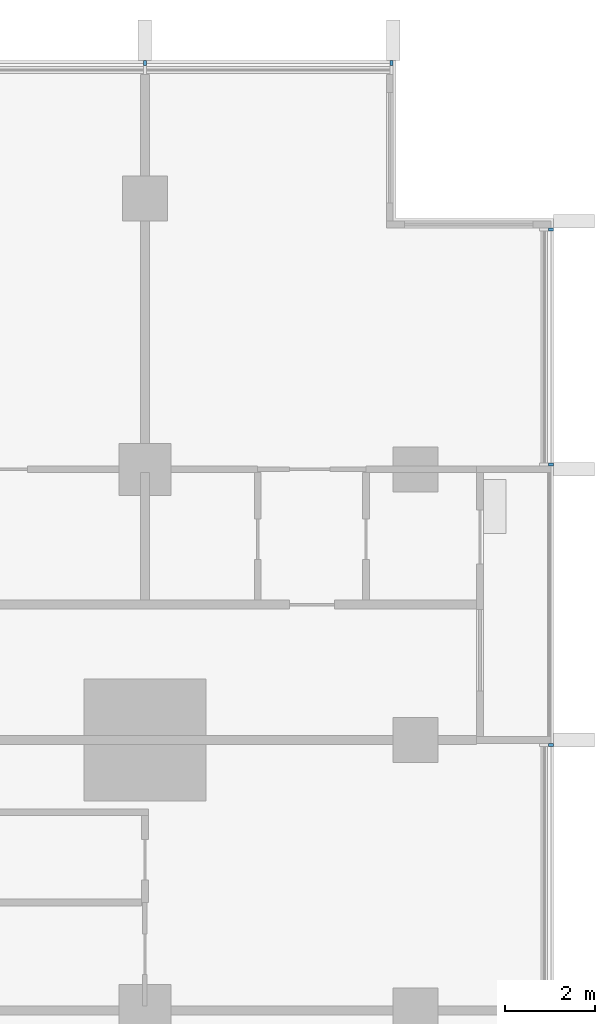
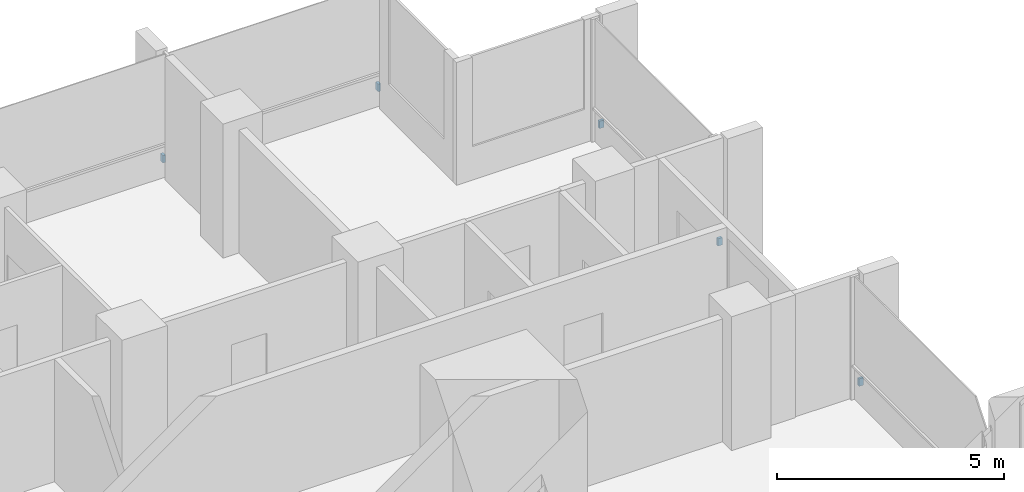
# One storey, part 16 of 17: 5 discrete accessories.
"""IFC4 building model written with IfcOpenShell, lengths in metres."""

from ifc_helpers import new_model, si_unit, direction, frame, origin, origin_2d, place, context, subcontext, project, spatial, rectangle, extrude, material, type_object, element, save


model = new_model("IFC4")

# Units and contexts
model_context = context("Model", 3, precision=1e-05, world=origin(), true_north=direction((0.0, 1.0)))
body_context = subcontext(model_context, "Body", "Model", "MODEL_VIEW")
ifc_project = project(units=[si_unit("LENGTHUNIT", "METRE"), si_unit("AREAUNIT", "SQUARE_METRE"), si_unit("VOLUMEUNIT", "CUBIC_METRE"), si_unit("PLANEANGLEUNIT", "RADIAN"), si_unit("MASSUNIT", "GRAM", prefix="KILO")], contexts=[model_context])

# Site, building, storey
site_placement = place(None, origin())
site = spatial("IfcSite", under=ifc_project, at=site_placement, CompositionType="ELEMENT")
building_placement = place(site_placement, origin())
building = spatial("IfcBuilding", under=site, at=building_placement, Name="Finial Court Residences", CompositionType="ELEMENT")
storey_placement = place(building_placement, frame((0.0, 0.0, 99.10009765625)))
storey = spatial("IfcBuildingStorey", under=building, at=storey_placement, Name="L24", CompositionType="ELEMENT", Elevation=99.10009765625)

# Discrete accessories
ifc_material = material(Name="Stainless steel 316", Category="steel")
discrete_accessory_type = type_object("IfcDiscreteAccessoryType", Name="Fin bracket, stainless steel 65 x 110 x 200", PredefinedType="BRACKET", material=ifc_material)
for number, where, z_axis, x_axis, name in (
    (1, (16.5, 22.5048828125, 0.2998046875), (0.0, 0.0, 1.0), (1.0, 0.0, 0.0), "E-L24-FIN-N7-BRK"),
    (2, (21.967529296875, 22.5048828125, 0.2998046875), (0.0, 0.0, 1.0), (1.0, 0.0, 0.0), "E-L24-FIN-N8-BRK"),
):
    element("IfcDiscreteAccessory", number, at=place(storey_placement, frame(where, z_axis=z_axis, x_axis=x_axis)), inside=storey, type_object=discrete_accessory_type, Name=name, PredefinedType="BRACKET", context=body_context, shape_type="SweptSolid", body=[
        extrude(rectangle(XDim=0.06494140625, YDim=0.110107421875, at=origin_2d()), origin(), (0.0, 0.0, 1.0), 0.199951171875),
    ])
for number, where, z_axis, x_axis, name in (
    (3, (25.5048828125, 7.392578125, 0.2998046875), (0.0, 0.0, 1.0), (1.0, 0.0, 0.0), "E-L24-FIN-E13-BRK"),
    (4, (25.5048828125, 13.607421875, 0.2998046875), (0.0, 0.0, 1.0), (1.0, 0.0, 0.0), "E-L24-FIN-E14-BRK"),
    (5, (25.5048828125, 18.8173828125, 0.2998046875), (0.0, 0.0, 1.0), (1.0, 0.0, 0.0), "E-L24-FIN-E15-BRK"),
):
    element("IfcDiscreteAccessory", number, at=place(storey_placement, frame(where, z_axis=z_axis, x_axis=x_axis)), inside=storey, type_object=discrete_accessory_type, Name=name, PredefinedType="BRACKET", context=body_context, shape_type="SweptSolid", body=[
        extrude(rectangle(XDim=0.110107421875, YDim=0.06494140625, at=origin_2d()), origin(), (0.0, 0.0, 1.0), 0.199951171875),
    ])

save(model, "model.ifc")
